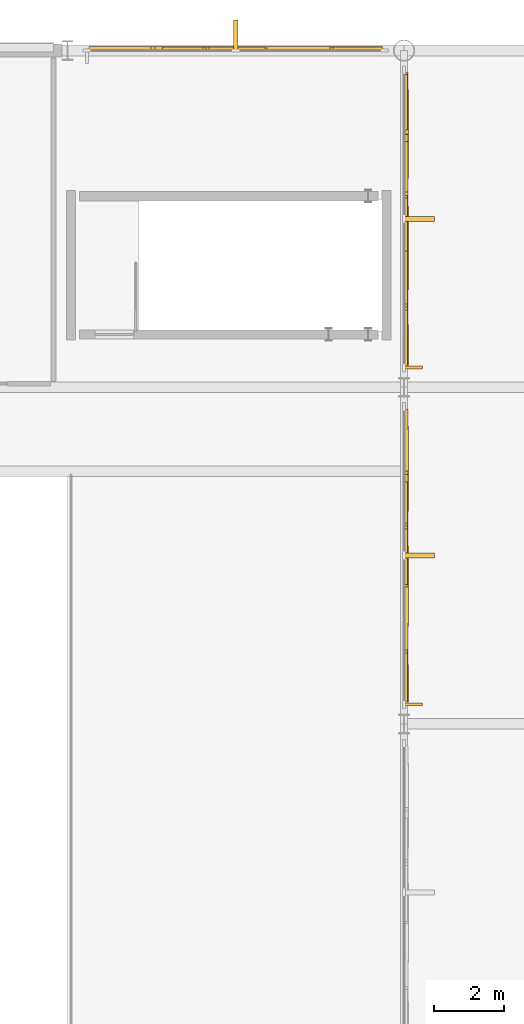
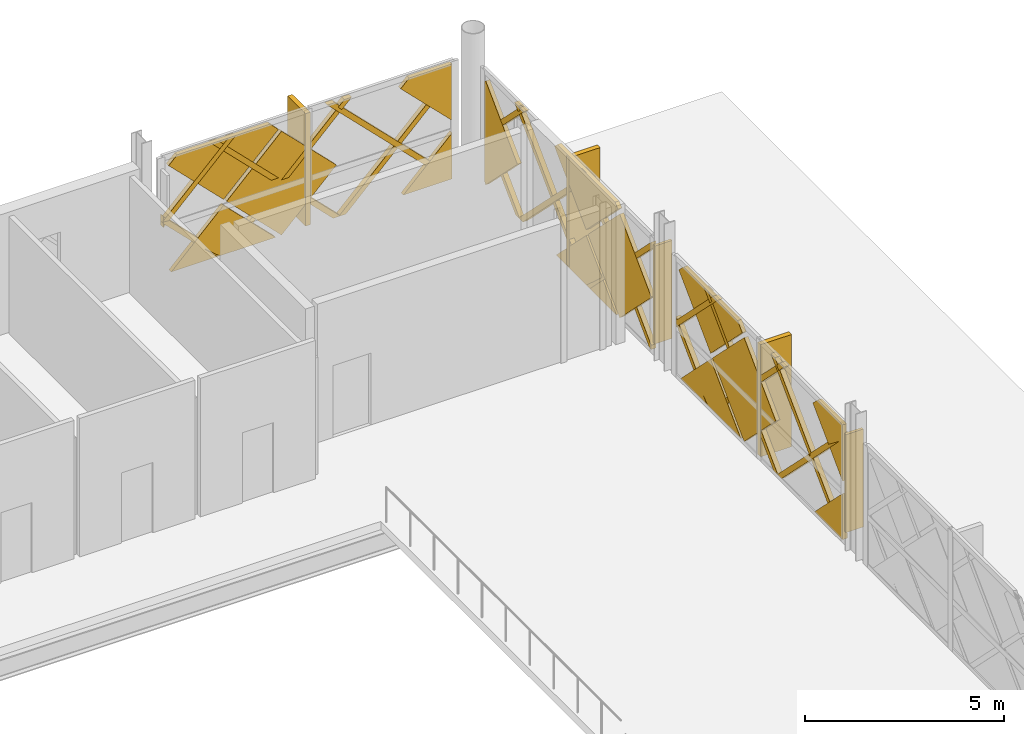
# One storey, part 101 of 101: 35 coverings, 2 shading devices.
"""IFC4 building model written with IfcOpenShell, lengths in metres."""

from ifc_helpers import new_model, si_unit, direction, frame, origin, origin_2d, place, context, subcontext, project, spatial, polyline, rectangle, outline, extrude, material, layer, layer_set, type_object, element, save


model = new_model("IFC4")

# Units and contexts
model_context = context("Model", 3, precision=1e-05, world=origin(), true_north=direction((0.0, 1.0)))
body_context = subcontext(model_context, "Body", "Model", "MODEL_VIEW")
ifc_project = project(units=[si_unit("LENGTHUNIT", "METRE"), si_unit("AREAUNIT", "SQUARE_METRE"), si_unit("VOLUMEUNIT", "CUBIC_METRE"), si_unit("PLANEANGLEUNIT", "RADIAN"), si_unit("MASSUNIT", "GRAM", prefix="KILO")], contexts=[model_context])

# Site, building, storey
site_placement = place(None, origin())
site = spatial("IfcSite", under=ifc_project, at=site_placement, CompositionType="ELEMENT")
building_placement = place(site_placement, origin())
building = spatial("IfcBuilding", under=site, at=building_placement, Name="Zevrakil Square Congress Hotel", CompositionType="ELEMENT")
storey_placement = place(building_placement, frame((0.0, 0.0, 5.39990234375)))
storey = spatial("IfcBuildingStorey", under=building, at=storey_placement, Name="L02", CompositionType="ELEMENT", Elevation=5.39990234375)

# Coverings
ifc_material_1 = material(Name="Architectural White Fibre-C GRC", Category="concrete")
ifc_layer_1 = layer(ifc_material_1, 0.06494140625)
ifc_layer_set_1 = layer_set([ifc_layer_1], Name="Architectural White Fibre-C GRC")
covering_type_1 = type_object("IfcCoveringType", Name="COV-DIA-WHITE", PredefinedType="CLADDING", material=ifc_layer_set_1)
covering_1_placement = place(storey_placement, frame((163.570068359375, 112.89501953125, 0.080078125), z_axis=(0.0, 0.999999760125, 0.000692640526), x_axis=(1.0, 0.0, 0.0)))
element("IfcCovering", 1, at=covering_1_placement, inside=storey, type_object=covering_type_1, Name="L02 45-degree white GRC diamond facade cassette 850", PredefinedType="CLADDING", context=body_context, shape_type="SweptSolid", body=[
    extrude(outline(polyline([(0.0, 0.0), (1.409912109375, 0.0), (1.409912109375, -1.4099124475784228), (0.0, 0.0)])), origin(), (0.0, 0.0, -1.0), 0.1201171875),
])
covering_2_placement = place(storey_placement, frame((158.360107421875, 112.89404296875, 1.590087890625), z_axis=(0.0, 0.999999790873, 0.000646725815), x_axis=(-0.707106707249, 0.000457304257, -0.707106707249)))
element("IfcCovering", 2, at=covering_2_placement, inside=storey, type_object=covering_type_1, Name="L02 45-degree white GRC diamond facade cassette 851", PredefinedType="CLADDING", context=body_context, shape_type="SweptSolid", body=[
    extrude(outline(polyline([(0.0, 0.0), (2.1354765131557993, 0.0), (4.465861884739297e-07, -2.1354765131557527), (0.0, 0.0)])), origin(), (0.0, 0.0, -1.0), 0.1201171875),
])
covering_3_placement = place(storey_placement, frame((160.0400390625, 112.89306640625, 3.27001953125), z_axis=(0.0, 0.999999811377, 0.000614203339), x_axis=(-0.707161000837, 0.000434274042, -0.707052424012)))
element("IfcCovering", 3, at=covering_3_placement, inside=storey, type_object=covering_type_1, Name="L02 45-degree white GRC diamond facade cassette 852", PredefinedType="CLADDING", context=body_context, shape_type="SweptSolid", body=[
    extrude(outline(polyline([(0.0, 0.0), (2.2485514454867683, 0.0), (2.2483792228863573, -2.248724065739994), (-0.0001721960923970478, -2.248378798790573), (0.0, 0.0)])), origin(), (0.0, 0.0, -1.0), 0.1201171875),
])
covering_4_placement = place(storey_placement, frame((163.489990234375, 112.89306640625, 3.360107421875), z_axis=(6.3817204e-05, 0.999999812707, 0.000608697323), x_axis=(0.70710674138, 0.000385288462, -0.707106716025)))
element("IfcCovering", 4, at=covering_4_placement, inside=storey, type_object=covering_type_1, Name="L02 45-degree white GRC diamond facade cassette 853", PredefinedType="CLADDING", context=body_context, shape_type="SweptSolid", body=[
    extrude(outline(polyline([(0.0, 0.0), (2.107164523048957, 0.0), (0.8804306692337134, -1.2267337135238576), (0.00017254562600751977, -0.34647549439319403), (0.0, 0.0)])), origin(), (0.0, 0.0, -1.0), 0.1201171875),
])
covering_5_placement = place(storey_placement, frame((156.77001953125, 112.89306640625, 3.360107421875), z_axis=(0.0, 0.999999832177, 0.000579349913), x_axis=(0.707106746172, 0.000409662272, -0.707106697532)))
element("IfcCovering", 5, at=covering_5_placement, inside=storey, type_object=covering_type_1, Name="L02 45-degree white GRC diamond facade cassette 854", PredefinedType="CLADDING", context=body_context, shape_type="SweptSolid", body=[
    extrude(outline(polyline([(0.0, 0.0), (2.24872397163871, -2.220446049250313e-16), (2.248551115452546, -2.2485513381386504), (1.9022482605459134, -2.2485513919469167), (-8.810449772522766e-08, -0.3463028549066256), (0.0, 0.0)])), origin(), (0.0, 0.0, -1.0), 0.1201171875),
])
covering_6_placement = place(storey_placement, frame((165.695068359375, 95.6298828125, 0.080078125), z_axis=(0.999999760125, 0.0, 0.000692640526), x_axis=(0.0, -1.0, 0.0)))
element("IfcCovering", 6, at=covering_6_placement, inside=storey, type_object=covering_type_1, Name="L02 45-degree white GRC diamond facade cassette 982", PredefinedType="CLADDING", context=body_context, shape_type="SweptSolid", body=[
    extrude(outline(polyline([(0.0, 0.0), (1.409912109375, 0.0), (1.409912109375, -1.4099124475784228), (0.0, 0.0)])), origin(), (0.0, 0.0, -1.0), 0.1201171875),
])
covering_7_placement = place(storey_placement, frame((165.694091796875, 100.840087890625, 1.590087890625), z_axis=(0.999999790873, 0.0, 0.000646725815), x_axis=(0.000457304257, 0.707106707249, -0.707106707249)))
element("IfcCovering", 7, at=covering_7_placement, inside=storey, type_object=covering_type_1, Name="L02 45-degree white GRC diamond facade cassette 983", PredefinedType="CLADDING", context=body_context, shape_type="SweptSolid", body=[
    extrude(outline(polyline([(0.0, 0.0), (2.1354765131557993, 0.0), (4.465861884739297e-07, -2.1354765131557527), (0.0, 0.0)])), origin(), (0.0, 0.0, -1.0), 0.1201171875),
])
covering_8_placement = place(storey_placement, frame((165.693115234375, 99.159912109375, 3.27001953125), z_axis=(0.999999855586, 0.0, 0.000537427945), x_axis=(0.000379989803, 0.707161001881, -0.707052454226)))
element("IfcCovering", 8, at=covering_8_placement, inside=storey, type_object=covering_type_1, Name="L02 45-degree white GRC diamond facade cassette 984", PredefinedType="CLADDING", context=body_context, shape_type="SweptSolid", body=[
    extrude(outline(polyline([(0.0, 0.0), (2.2485514421697053, 2.220446049250313e-16), (2.2483791201710894, -2.248723969644624), (-0.00017220272677631598, -2.248378795472748), (0.0, 0.0)])), origin(), (0.0, 0.0, -1.0), 0.1201171875),
])
covering_9_placement = place(storey_placement, frame((165.693115234375, 95.7099609375, 3.360107421875), z_axis=(0.999999808817, -6.6854444e-05, 0.000614732229), x_axis=(0.000387408133, -0.707106741694, -0.707106714553)))
element("IfcCovering", 9, at=covering_9_placement, inside=storey, type_object=covering_type_1, Name="L02 45-degree white GRC diamond facade cassette 985", PredefinedType="CLADDING", context=body_context, shape_type="SweptSolid", body=[
    extrude(outline(polyline([(0.0, 0.0), (2.1071645228758276, -4.440892098500626e-16), (0.8873360085544126, -1.2198283755844284), (-0.00017272168265564103, -0.33231955017883935), (0.0, 0.0)])), origin(), (0.0, 0.0, -1.0), 0.1201171875),
])
covering_10_placement = place(storey_placement, frame((165.693115234375, 102.429931640625, 3.360107421875), z_axis=(0.999999828983, 0.0, 0.000584837432), x_axis=(0.000413574283, -0.707052455893, -0.70716098137)))
element("IfcCovering", 10, at=covering_10_placement, inside=storey, type_object=covering_type_1, Name="L02 45-degree white GRC diamond facade cassette 986", PredefinedType="CLADDING", context=body_context, shape_type="SweptSolid", body=[
    extrude(outline(polyline([(0.0, 0.0), (2.248551344033201, -4.440892098500626e-16), (2.2483784760755072, -2.248723964244697), (1.915886299889369, -2.2486984931924137), (-0.000198236343884578, -0.3323195294215008), (0.0, 0.0)])), origin(), (0.0, 0.0, -1.0), 0.1201171875),
])
covering_11_placement = place(storey_placement, frame((165.694091796875, 107.080078125, 1.590087890625), z_axis=(0.999999790873, 0.0, 0.000646725815), x_axis=(0.000457304257, 0.707106707249, -0.707106707249)))
element("IfcCovering", 11, at=covering_11_placement, inside=storey, type_object=covering_type_1, Name="L02 45-degree white GRC diamond facade cassette 1015", PredefinedType="CLADDING", context=body_context, shape_type="SweptSolid", body=[
    extrude(outline(polyline([(0.0, 0.0), (2.1354765131557993, 0.0), (4.465861884739297e-07, -2.1354765131557527), (0.0, 0.0)])), origin(), (0.0, 0.0, -1.0), 0.1201171875),
])
covering_12_placement = place(storey_placement, frame((165.693115234375, 105.39990234375, 3.27001953125), z_axis=(0.999999856488, 2.41678e-07, 0.000535746981), x_axis=(0.000378630367, 0.70716100192, -0.707052454916)))
element("IfcCovering", 12, at=covering_12_placement, inside=storey, type_object=covering_type_1, Name="L02 45-degree white GRC diamond facade cassette 1016", PredefinedType="CLADDING", context=body_context, shape_type="SweptSolid", body=[
    extrude(outline(polyline([(0.0, 0.0), (2.2485514420015917, 0.0), (2.2483791200415766, -2.248723969767764), (0.013983742226420182, -2.248379879845779), (-0.00017111649015499886, -2.2342228501026002), (0.0, 0.0)])), origin(), (0.0, 0.0, -1.0), 0.1201171875),
])
covering_13_placement = place(storey_placement, frame((165.69482421875, 112.1201171875, 0.090087890625), z_axis=(0.999999852651, 7.1453825e-05, 0.000538137651), x_axis=(-0.000329995328, -0.707106743993, 0.707106741378)))
element("IfcCovering", 13, at=covering_13_placement, inside=storey, type_object=covering_type_1, Name="L02 45-degree white GRC diamond facade cassette 1017", PredefinedType="CLADDING", context=body_context, shape_type="SweptSolid", body=[
    extrude(outline(polyline([(0.0, 0.0), (2.248723979543348, 2.220446049250313e-16), (2.2485516641645265, -2.2485514388720227), (2.1639612579350396, -2.2485514507480224), (0.00017263332536615605, -0.084763036428044), (0.0, 0.0)])), origin(), (0.0, 0.0, -1.0), 0.1201171875),
])
covering_14_placement = place(storey_placement, frame((165.693115234375, 108.669921875, 3.360107421875), z_axis=(0.999999789328, 0.0, 0.000649109559), x_axis=(0.000459025029, -0.707052459446, -0.707160949775)))
element("IfcCovering", 14, at=covering_14_placement, inside=storey, type_object=covering_type_1, Name="L02 45-degree white GRC diamond facade cassette 1018", PredefinedType="CLADDING", context=body_context, shape_type="SweptSolid", body=[
    extrude(outline(polyline([(0.0, 0.0), (2.2485513327332183, -2.220446049250313e-16), (2.2483784873746213, -2.248723952947319), (2.0574457543852374, -2.248709377518758), (-1.4759320567950263e-05, -0.1909327329752577), (0.0, 0.0)])), origin(), (0.0, 0.0, -1.0), 0.1201171875),
])
ifc_material_2 = material(Name="Anodised Champagne Aluminium", Category="aluminium")
ifc_layer_2 = layer(ifc_material_2, 0.0849609375)
ifc_layer_set_2 = layer_set([ifc_layer_2], Name="Anodised Champagne Aluminium")
covering_type_2 = type_object("IfcCoveringType", Name="COV-DIAGRID-45", PredefinedType="MOLDING", material=ifc_layer_set_2)
covering_15_placement = place(storey_placement, frame((164.893798828125, 112.919921875, 0.080078125), z_axis=(-0.000187311957, 0.999999884449, 0.000442737353), x_axis=(0.999999982457, 0.000187311939, 8.293e-08)))
element("IfcCovering", 15, at=covering_15_placement, inside=storey, type_object=covering_type_2, Name="L02 45-degree aluminium diagrid rib 855", PredefinedType="MOLDING", context=body_context, shape_type="SweptSolid", body=[
    extrude(outline(polyline([(0.0, 0.0), (0.0861816391131254, 2.2812090330563966e-24), (0.08618164958060848, -0.12622069075433734), (-3.312744201763839, -3.524902971092284), (-3.5249024011669716, -3.524902971092284), (0.0, 0.0)])), origin(), (0.0, 0.0, -1.0), 0.14501953125),
])
covering_16_placement = place(storey_placement, frame((161.533935546875, 112.919921875, 0.080078125), z_axis=(0.0, 0.999999805714, 0.000623354914), x_axis=(1.0, 0.0, 0.0)))
element("IfcCovering", 16, at=covering_16_placement, inside=storey, type_object=covering_type_2, Name="L02 45-degree aluminium diagrid rib 856", PredefinedType="MOLDING", context=body_context, shape_type="SweptSolid", body=[
    extrude(outline(polyline([(0.0, 0.0), (0.212158203125, 0.0), (-3.312744140625, -3.524903028588229), (-3.525146484375, -3.524903028588229), (0.0, 0.0)])), origin(), (0.0, 0.0, -1.0), 0.14501953125),
])
covering_17_placement = place(storey_placement, frame((158.173828125, 112.919921875, 0.080078125), z_axis=(-0.000294160881, 0.999999913469, 0.000294160881), x_axis=(0.999999956735, 0.000294160868, 8.6531e-08)))
element("IfcCovering", 17, at=covering_17_placement, inside=storey, type_object=covering_type_2, Name="L02 45-degree aluminium diagrid rib 857", PredefinedType="MOLDING", context=body_context, shape_type="SweptSolid", body=[
    extrude(outline(polyline([(0.0, 0.0), (0.21215819394590898, 2.8078904387053947e-24), (-1.5537110047217924, -1.7661134921050472), (-1.5537110230799749, -1.5539552981591391), (0.0, 0.0)])), origin(), (0.0, 0.0, -1.0), 0.14501953125),
])
covering_18_placement = place(storey_placement, frame((164.97998046875, 112.918212890625, 3.154052734375), z_axis=(-0.000287477056, 0.99999958606, 0.000863270454), x_axis=(-8.2643e-08, -0.000863270513, 0.999999627382)))
element("IfcCovering", 18, at=covering_18_placement, inside=storey, type_object=covering_type_2, Name="L02 45-degree aluminium diagrid rib 858", PredefinedType="MOLDING", context=body_context, shape_type="SweptSolid", body=[
    extrude(outline(polyline([(0.0, 0.0), (0.21215833483042407, 1.3234889800848443e-23), (-3.0739746676964605, -3.286133202330571), (-3.073974685229852, -3.0739750079722734), (0.0, 0.0)])), origin(), (0.0, 0.0, -1.0), 0.14501953125),
])
covering_19_placement = place(storey_placement, frame((162.071044921875, 112.917724609375, 3.60498046875), z_axis=(0.0, 0.999999805714, 0.000623354914), x_axis=(-1.0, 0.0, 0.0)))
element("IfcCovering", 19, at=covering_19_placement, inside=storey, type_object=covering_type_2, Name="L02 45-degree aluminium diagrid rib 859", PredefinedType="MOLDING", context=body_context, shape_type="SweptSolid", body=[
    extrude(outline(polyline([(0.0, 0.0), (0.212158203125, 0.0), (3.737060546875, -3.5249030285882292), (3.52490234375, -3.5249030285882292), (0.0, 0.0)])), origin(), (0.0, 0.0, -1.0), 0.14501953125),
])
covering_20_placement = place(storey_placement, frame((158.711181640625, 112.917724609375, 3.60498046875), z_axis=(-0.000236459156, 0.99999955529, 0.00091296562), x_axis=(-0.999999972044, -0.000236459057, -2.15879e-07)))
element("IfcCovering", 20, at=covering_20_placement, inside=storey, type_object=covering_type_2, Name="L02 45-degree aluminium diagrid rib 860", PredefinedType="MOLDING", context=body_context, shape_type="SweptSolid", body=[
    extrude(outline(polyline([(0.0, 0.0), (0.21240233781198098, 0.0), (2.091064511583775, -1.8786624408965298), (2.0910644997077372, -2.091064919019172), (0.0, 0.0)])), origin(), (0.0, 0.0, -1.0), 0.14501953125),
])
covering_21_placement = place(storey_placement, frame((165.719970703125, 94.30615234375, 0.080078125), z_axis=(0.999999883794, 0.000187841865, 0.000443989862), x_axis=(0.000187841846, -0.999999982358, 8.34e-08)))
element("IfcCovering", 21, at=covering_21_placement, inside=storey, type_object=covering_type_2, Name="L02 45-degree aluminium diagrid rib 987", PredefinedType="MOLDING", context=body_context, shape_type="SweptSolid", body=[
    extrude(outline(polyline([(0.0, 0.0), (0.08618163910455907, 0.0), (0.0861816496313512, -0.12622069068424482), (-3.3027344363086577, -3.515137347849475), (-3.5148926356907024, -3.515137347849475), (0.0, 0.0)])), origin(), (0.0, 0.0, -1.0), 0.14501953125),
])
covering_22_placement = place(storey_placement, frame((165.719970703125, 97.666015625, 0.080078125), z_axis=(0.999999804633, 0.0, 0.000625086695), x_axis=(0.0, -1.0, 0.0)))
element("IfcCovering", 22, at=covering_22_placement, inside=storey, type_object=covering_type_2, Name="L02 45-degree aluminium diagrid rib 988", PredefinedType="MOLDING", context=body_context, shape_type="SweptSolid", body=[
    extrude(outline(polyline([(0.0, 0.0), (0.212158203125, 0.0), (-3.302978515625, -3.5151374054908215), (-3.51513671875, -3.5151374054908215), (0.0, 0.0)])), origin(), (0.0, 0.0, -1.0), 0.14501953125),
])
covering_23_placement = place(storey_placement, frame((165.719970703125, 101.026123046875, 0.080078125), z_axis=(0.999999913482, 0.000294139249, 0.000294139249), x_axis=(0.000294139237, -0.999999956741, 8.6518e-08)))
element("IfcCovering", 23, at=covering_23_placement, inside=storey, type_object=covering_type_2, Name="L02 45-degree aluminium diagrid rib 989", PredefinedType="MOLDING", context=body_context, shape_type="SweptSolid", body=[
    extrude(outline(polyline([(0.0, 0.0), (0.2121581939472589, 0.0), (-1.553955145347468, -1.7661134920951609), (-1.5539551637029505, -1.5539552981479028), (0.0, 0.0)])), origin(), (0.0, 0.0, -1.0), 0.14501953125),
])
covering_24_placement = place(storey_placement, frame((165.718017578125, 94.219970703125, 3.154052734375), z_axis=(0.999999905696, -0.00030708991, 0.00030708991), x_axis=(-0.000307089896, 9.4304e-08, 0.999999952848)))
element("IfcCovering", 24, at=covering_24_placement, inside=storey, type_object=covering_type_2, Name="L02 45-degree aluminium diagrid rib 990", PredefinedType="MOLDING", context=body_context, shape_type="SweptSolid", body=[
    extrude(outline(polyline([(0.0, 0.0), (0.2121581931212936, 0.0), (-3.0739747543193885, -3.2861332573369064), (-3.073974774326802, -3.0739750642156136), (0.0, 0.0)])), origin(), (0.0, 0.0, -1.0), 0.14501953125),
])
covering_25_placement = place(storey_placement, frame((165.7177734375, 97.138916015625, 3.59521484375), z_axis=(0.999999804633, 0.0, 0.000625086695), x_axis=(0.0, 1.0, 0.0)))
element("IfcCovering", 25, at=covering_25_placement, inside=storey, type_object=covering_type_2, Name="L02 45-degree aluminium diagrid rib 991", PredefinedType="MOLDING", context=body_context, shape_type="SweptSolid", body=[
    extrude(outline(polyline([(0.0, 0.0), (0.212158203125, 0.0), (3.727294921875, -3.515137405490821), (3.514892578125, -3.515137405490821), (0.0, 0.0)])), origin(), (0.0, 0.0, -1.0), 0.14501953125),
])
covering_26_placement = place(storey_placement, frame((165.7177734375, 100.498779296875, 3.59521484375), z_axis=(0.999999904504, -0.000309023456, 0.000309023456), x_axis=(0.000309023442, 0.999999952252, 9.5496e-08)))
element("IfcCovering", 26, at=covering_26_placement, inside=storey, type_object=covering_type_2, Name="L02 45-degree aluminium diagrid rib 992", PredefinedType="MOLDING", context=body_context, shape_type="SweptSolid", body=[
    extrude(outline(polyline([(0.0, 0.0), (0.2124023336082661, 2.81112161297318e-24), (2.0812989275023397, -1.8688967723653072), (2.0812989072188715, -2.081299105973572), (0.0, 0.0)])), origin(), (0.0, 0.0, -1.0), 0.14501953125),
])
covering_27_placement = place(storey_placement, frame((165.719970703125, 103.906005859375, 0.080078125), z_axis=(0.999999902682, 0.000172018988, 0.000406257609), x_axis=(0.000172018974, -0.999999985205, 6.9884e-08)))
element("IfcCovering", 27, at=covering_27_placement, inside=storey, type_object=covering_type_2, Name="L02 45-degree aluminium diagrid rib 1019", PredefinedType="MOLDING", context=body_context, shape_type="SweptSolid", body=[
    extrude(outline(polyline([(0.0, 0.0), (0.0859374987285318, -1.137373342260413e-24), (0.08593750754934242, -0.12622069270893582), (-3.202880909305412, -3.415039574153905), (-3.4150391092914747, -3.415039574153905), (0.0, 0.0)])), origin(), (0.0, 0.0, -1.0), 0.14501953125),
])
covering_28_placement = place(storey_placement, frame((165.719970703125, 107.26611328125, 0.080078125), z_axis=(0.999999836454, 0.0, 0.000571918694), x_axis=(0.0, -1.0, 0.0)))
element("IfcCovering", 28, at=covering_28_placement, inside=storey, type_object=covering_type_2, Name="L02 45-degree aluminium diagrid rib 1020", PredefinedType="MOLDING", context=body_context, shape_type="SweptSolid", body=[
    extrude(outline(polyline([(0.0, 0.0), (0.212158203125, 0.0), (-3.202880859375, -3.415039621014395), (-3.4150390625, -3.415039621014395), (0.0, 0.0)])), origin(), (0.0, 0.0, -1.0), 0.14501953125),
])
covering_29_placement = place(storey_placement, frame((165.719970703125, 110.626220703125, 0.080078125), z_axis=(0.999999913476, 0.000293980909, 0.000294319207), x_axis=(0.000293980897, -0.999999956788, 8.6524e-08)))
element("IfcCovering", 29, at=covering_29_placement, inside=storey, type_object=covering_type_2, Name="L02 45-degree aluminium diagrid rib 1021", PredefinedType="MOLDING", context=body_context, shape_type="SweptSolid", body=[
    extrude(outline(polyline([(0.0, 0.0), (0.21240233457158741, 0.0), (-1.5537110046395635, -1.7661134921773871), (-1.553711022996389, -1.5539552982413625), (0.0, 0.0)])), origin(), (0.0, 0.0, -1.0), 0.14501953125),
])
covering_30_placement = place(storey_placement, frame((165.718017578125, 103.820068359375, 3.154052734375), z_axis=(0.999999905692, -0.000306919207, 0.000307272394), x_axis=(-0.00030727238, 9.4308e-08, 0.999999952792)))
element("IfcCovering", 30, at=covering_30_placement, inside=storey, type_object=covering_type_2, Name="L02 45-degree aluminium diagrid rib 1022", PredefinedType="MOLDING", context=body_context, shape_type="SweptSolid", body=[
    extrude(outline(polyline([(0.0, 0.0), (0.21215819310940093, 2.8078904387053947e-24), (-3.0739747544917018, -3.286133257175718), (-3.0739747745229002, -3.073730923429806), (0.0, 0.0)])), origin(), (0.0, 0.0, -1.0), 0.14501953125),
])
covering_31_placement = place(storey_placement, frame((165.718017578125, 106.8388671875, 3.4951171875), z_axis=(0.999999836454, 0.0, 0.000571918694), x_axis=(0.0, 1.0, 0.0)))
element("IfcCovering", 31, at=covering_31_placement, inside=storey, type_object=covering_type_2, Name="L02 45-degree aluminium diagrid rib 1023", PredefinedType="MOLDING", context=body_context, shape_type="SweptSolid", body=[
    extrude(outline(polyline([(0.0, 0.0), (0.212158203125, 0.0), (3.627197265625, -3.415039621014395), (3.4150390625, -3.415039621014395), (0.0, 0.0)])), origin(), (0.0, 0.0, -1.0), 0.14501953125),
])
covering_32_placement = place(storey_placement, frame((165.718017578125, 110.198974609375, 3.4951171875), z_axis=(0.999999932179, -0.000260574887, 0.000260275376), x_axis=(0.000260574878, 0.99999996605, 6.7821e-08)))
element("IfcCovering", 32, at=covering_32_placement, inside=storey, type_object=covering_type_2, Name="L02 45-degree aluminium diagrid rib 1024", PredefinedType="MOLDING", context=body_context, shape_type="SweptSolid", body=[
    extrude(outline(polyline([(0.0, 0.0), (0.21215819592230614, 0.0), (1.9809570985027734, -1.7687990223880656), (1.9809570840973856, -1.9812013589436503), (0.0, 0.0)])), origin(), (0.0, 0.0, -1.0), 0.14501953125),
])
ifc_material_3 = material(Name="Architectural White Fibre-C GRC", Category="concrete")
ifc_layer_3 = layer(ifc_material_3, 0.139892578125)
ifc_layer_set_3 = layer_set([ifc_layer_3], Name="Architectural White Fibre-C GRC")
covering_type_3 = type_object("IfcCoveringType", Name="COV-FIN-GRC90", PredefinedType="MOLDING", material=ifc_layer_set_3)
covering_33_placement = place(storey_placement, frame((160.800048828125, 113.219970703125, 0.1201171875), z_axis=(0.0, 0.0, 1.0), x_axis=(0.0, 1.0, 0.0)))
element("IfcCovering", 33, at=covering_33_placement, inside=storey, type_object=covering_type_3, Name="L02 highland sun-breaker GRC fin 861", PredefinedType="MOLDING", context=body_context, shape_type="SweptSolid", body=[
    extrude(rectangle(XDim=0.89990234375, YDim=0.139892578125, at=origin_2d()), origin(), (0.0, 0.0, 1.0), 3.445068359375),
])
covering_34_placement = place(storey_placement, frame((166.02001953125, 98.39990234375, 0.1201171875), z_axis=(0.0, 0.0, 1.0), x_axis=(1.0, 0.0, 0.0)))
element("IfcCovering", 34, at=covering_34_placement, inside=storey, type_object=covering_type_3, Name="L02 highland sun-breaker GRC fin 993", PredefinedType="MOLDING", context=body_context, shape_type="SweptSolid", body=[
    extrude(rectangle(XDim=0.89990234375, YDim=0.139892578125, at=origin_2d()), origin(), (0.0, 0.0, 1.0), 3.43505859375),
])
covering_35_placement = place(storey_placement, frame((166.02001953125, 108.0, 0.1201171875), z_axis=(0.0, 0.0, 1.0), x_axis=(1.0, 0.0, 0.0)))
element("IfcCovering", 35, at=covering_35_placement, inside=storey, type_object=covering_type_3, Name="L02 highland sun-breaker GRC fin 1025", PredefinedType="MOLDING", context=body_context, shape_type="SweptSolid", body=[
    extrude(rectangle(XDim=0.89990234375, YDim=0.139892578125, at=origin_2d()), origin(), (0.0, 0.0, 1.0), 3.3349609375),
])

# Shading devices
ifc_material_4 = material(Name="Aluminium Anodised Bronze", Category="aluminium")
shading_device_type = type_object("IfcShadingDeviceType", Name="SHD-FIN-50", PredefinedType="JALOUSIE", material=ifc_material_4)
for number, where, z_axis, x_axis, name in (
    (36, (165.8701171875, 94.159912109375, 0.337646484375), (0.0, 0.0, 1.0), (1.0, 0.0, 0.0), "L02 aluminium solar shading fin 55"),
    (37, (165.8701171875, 103.760009765625, 0.28759765625), (0.0, 0.0, 1.0), (1.0, 0.0, 0.0), "L02 aluminium solar shading fin 56"),
):
    element("IfcShadingDevice", number, at=place(storey_placement, frame(where, z_axis=z_axis, x_axis=x_axis)), inside=storey, type_object=shading_device_type, Name=name, PredefinedType="JALOUSIE", context=body_context, shape_type="SweptSolid", body=[
        extrude(rectangle(XDim=0.5, YDim=0.080078125, at=origin_2d()), origin(), (0.0, 0.0, 1.0), 3.0),
    ])

save(model, "model.ifc")
